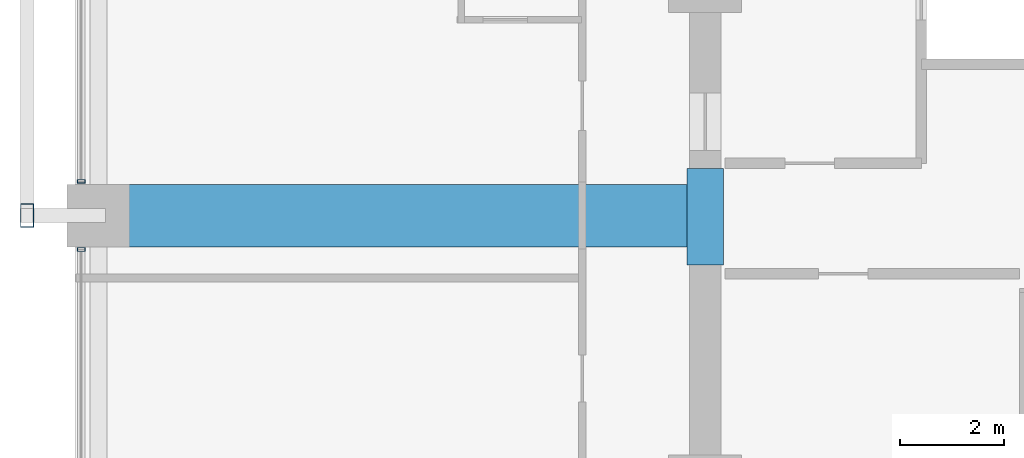
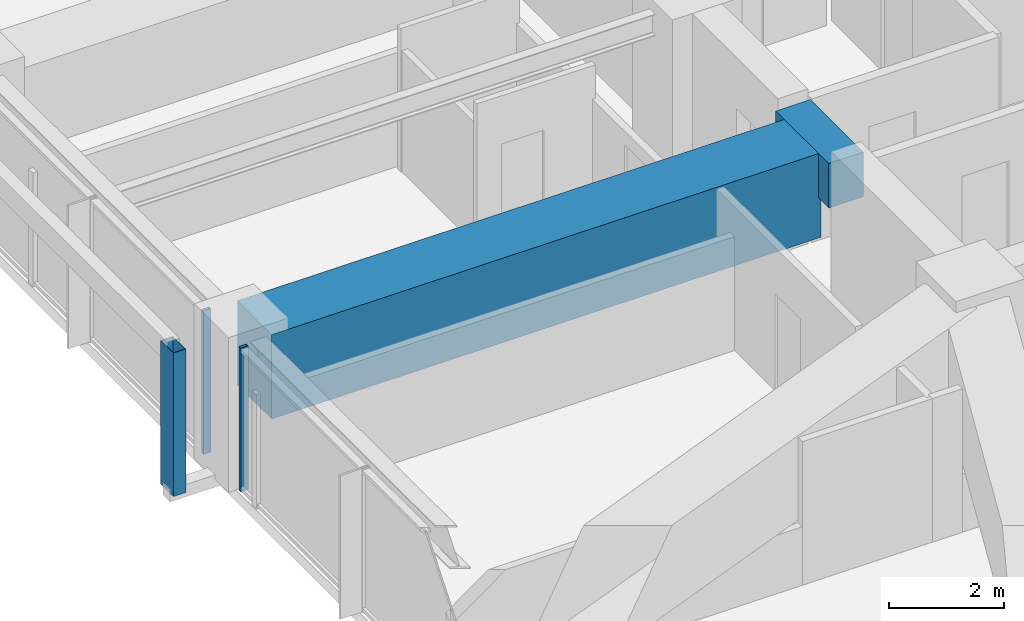
# One storey, part 7 of 37: 3 members, 2 beams, 2 elements without a shape of their own.
"""IFC4 building model written with IfcOpenShell, lengths in metres."""

from ifc_helpers import new_model, si_unit, direction, frame, origin, origin_2d, place, context, subcontext, project, spatial, rectangle, hollow_rectangle, extrude, material, material_profile, profile_set, type_object, element, aggregate, save


model = new_model("IFC4")

# Units and contexts
model_context = context("Model", 3, precision=1e-05, world=origin(), true_north=direction((0.0, 1.0)))
body_context = subcontext(model_context, "Body", "Model", "MODEL_VIEW")
ifc_project = project(units=[si_unit("LENGTHUNIT", "METRE"), si_unit("AREAUNIT", "SQUARE_METRE"), si_unit("VOLUMEUNIT", "CUBIC_METRE"), si_unit("PLANEANGLEUNIT", "RADIAN"), si_unit("MASSUNIT", "GRAM", prefix="KILO")], contexts=[model_context])

# Site, building, storey
site_placement = place(None, origin())
site = spatial("IfcSite", under=ifc_project, at=site_placement, CompositionType="ELEMENT")
building_placement = place(site_placement, origin())
building = spatial("IfcBuilding", under=site, at=building_placement, Name="Kolvaren Belvedere", CompositionType="ELEMENT")
storey_placement = place(building_placement, frame((0.0, 0.0, 56.800048828125)))
storey = spatial("IfcBuildingStorey", under=building, at=storey_placement, Name="L16", CompositionType="ELEMENT", Elevation=56.800048828125)

# Beams
ifc_material_1 = material(Name="Concrete C60/75", Category="concrete")
ifc_material_profile_1 = material_profile(ifc_material_1, rectangle(XDim=0.699951171875, YDim=0.949951171875, at=origin_2d()), Name="RC 700X950")
ifc_profile_set_1 = profile_set([ifc_material_profile_1], Name="Concrete C60/75")
beam_type_1 = type_object("IfcBeamType", Name="BM-LINT-950", PredefinedType="LINTEL", material=ifc_profile_set_1)
beam_1_placement = place(storey_placement, frame((-9.89990234375, -5.550048828125, 2.5849609375), z_axis=(0.0, 1.0, 0.0), x_axis=(-1.0, 0.0, 0.0)))
element("IfcBeam", 1, at=beam_1_placement, inside=storey, type_object=beam_type_1, Name="L16 West Core Coupling Lintel", PredefinedType="LINTEL", context=body_context, shape_type="SweptSolid", body=[
    extrude(rectangle(XDim=0.699951171875, YDim=0.949951171875, at=origin_2d()), origin(), (0.0, 0.0, 1.0), 1.85009765625),
])
ifc_material_2 = material(Name="Concrete C50/60", Category="concrete")
ifc_material_profile_2 = material_profile(ifc_material_2, rectangle(XDim=1.199951171875, YDim=1.800048828125, at=origin_2d()), Name="RC 1200X1800")
ifc_profile_set_2 = profile_set([ifc_material_profile_2], Name="Concrete C50/60")
beam_type_2 = type_object("IfcBeamType", Name="BM-TG-1800", PredefinedType="BEAM", material=ifc_profile_set_2)
beam_2_placement = place(storey_placement, frame((-10.199951171875, -4.60009765625, 2.159912109375), z_axis=(-1.0, 0.0, 0.0), x_axis=(0.0, -1.0, 0.0)))
element("IfcBeam", 2, at=beam_2_placement, inside=storey, type_object=beam_type_2, Name="L16 West Radial Girder M", PredefinedType="BEAM", context=body_context, shape_type="SweptSolid", body=[
    extrude(rectangle(XDim=1.199951171875, YDim=1.800048828125, at=origin_2d()), origin(), (0.0, 0.0, 1.0), 11.080078125),
])

# Curtain wall, member
ifc_material_3 = material(Name="Anodised pale-metal aluminium AA 6063-T6", Category="aluminium")
curtain_wall_type = type_object("IfcCurtainWallType", Name="CW-Z1-LOW", PredefinedType="NOTDEFINED", material=ifc_material_3)
curtain_wall_1_placement = place(storey_placement, origin())
curtain_wall_1 = element("IfcCurtainWall", 3, at=curtain_wall_1_placement, inside=storey, type_object=curtain_wall_type, Name="L16 Unitised Curtain Wall FCW-L16-W-B1", PredefinedType="NOTDEFINED")
ifc_material_4 = material(Name="Anodised pale-metal aluminium AA 6063-T6", Category="aluminium")
ifc_material_profile_3 = material_profile(ifc_material_4, hollow_rectangle(XDim=0.070068359375, YDim=0.14990234375, WallThickness=0.004150390625, at=origin_2d()), Name="ALU-MUL-150X70")
ifc_profile_set_3 = profile_set([ifc_material_profile_3], Name="Anodised pale-metal aluminium AA 6063-T6")
member_type_1 = type_object("IfcMemberType", Name="CW-MUL-150", PredefinedType="MULLION", material=ifc_profile_set_3)
member_1_placement = place(storey_placement, frame((-21.8798828125, -5.2548828125, 0.0), z_axis=(0.0, 0.0, 1.0), x_axis=(0.0, 1.0, 0.0)))
member_1 = element("IfcMember", 4, at=member_1_placement, type_object=member_type_1, Name="FCW-L16-W-B1 Unitised Mullion 3", PredefinedType="MULLION", context=body_context, shape_type="SweptSolid", body=[
    extrude(hollow_rectangle(XDim=0.070068359375, YDim=0.14990234375, WallThickness=0.004150390625, at=origin_2d()), origin(), (0.0, 0.0, 1.0), 3.06005859375),
])
aggregate(curtain_wall_1, [member_1])

curtain_wall_2_placement = place(storey_placement, origin())
curtain_wall_2 = element("IfcCurtainWall", 5, at=curtain_wall_2_placement, inside=storey, type_object=curtain_wall_type, Name="L16 Unitised Curtain Wall FCW-L16-W-B2", PredefinedType="NOTDEFINED")
member_2_placement = place(storey_placement, frame((-21.8798828125, -3.945068359375, 0.0), z_axis=(0.0, 0.0, 1.0), x_axis=(0.0, 1.0, 0.0)))
member_2 = element("IfcMember", 6, at=member_2_placement, type_object=member_type_1, Name="FCW-L16-W-B2 Unitised Mullion 1", PredefinedType="MULLION", context=body_context, shape_type="SweptSolid", body=[
    extrude(hollow_rectangle(XDim=0.070068359375, YDim=0.14990234375, WallThickness=0.004150390625, at=origin_2d()), origin(), (0.0, 0.0, 1.0), 3.06005859375),
])
aggregate(curtain_wall_2, [member_2])

# Member
ifc_material_5 = material(Name="Anodised pale-metal aluminium AA 6063-T6", Category="aluminium")
ifc_material_profile_4 = material_profile(ifc_material_5, hollow_rectangle(XDim=0.25, YDim=0.449951171875, WallThickness=0.008544921875, at=origin_2d()), Name="ALU-PF-450X250")
ifc_profile_set_4 = profile_set([ifc_material_profile_4], Name="Anodised pale-metal aluminium AA 6063-T6")
member_type_2 = type_object("IfcMemberType", Name="PF-FRAME-450", PredefinedType="USERDEFINED", material=ifc_profile_set_4)
member_3_placement = place(storey_placement, frame((-22.919921875, -4.60009765625, 0.0), z_axis=(0.0, 0.0, 1.0), x_axis=(1.0, 0.0, 0.0)))
element("IfcMember", 7, at=member_3_placement, inside=storey, type_object=member_type_2, Name="L16 Outboard Picture-Frame Vertical W1", ObjectType="PICTURE FRAME FIN", PredefinedType="USERDEFINED", context=body_context, shape_type="SweptSolid", body=[
    extrude(hollow_rectangle(XDim=0.25, YDim=0.449951171875, WallThickness=0.008544921875, at=origin_2d()), origin(), (0.0, 0.0, 1.0), 3.06005859375),
])

save(model, "model.ifc")
